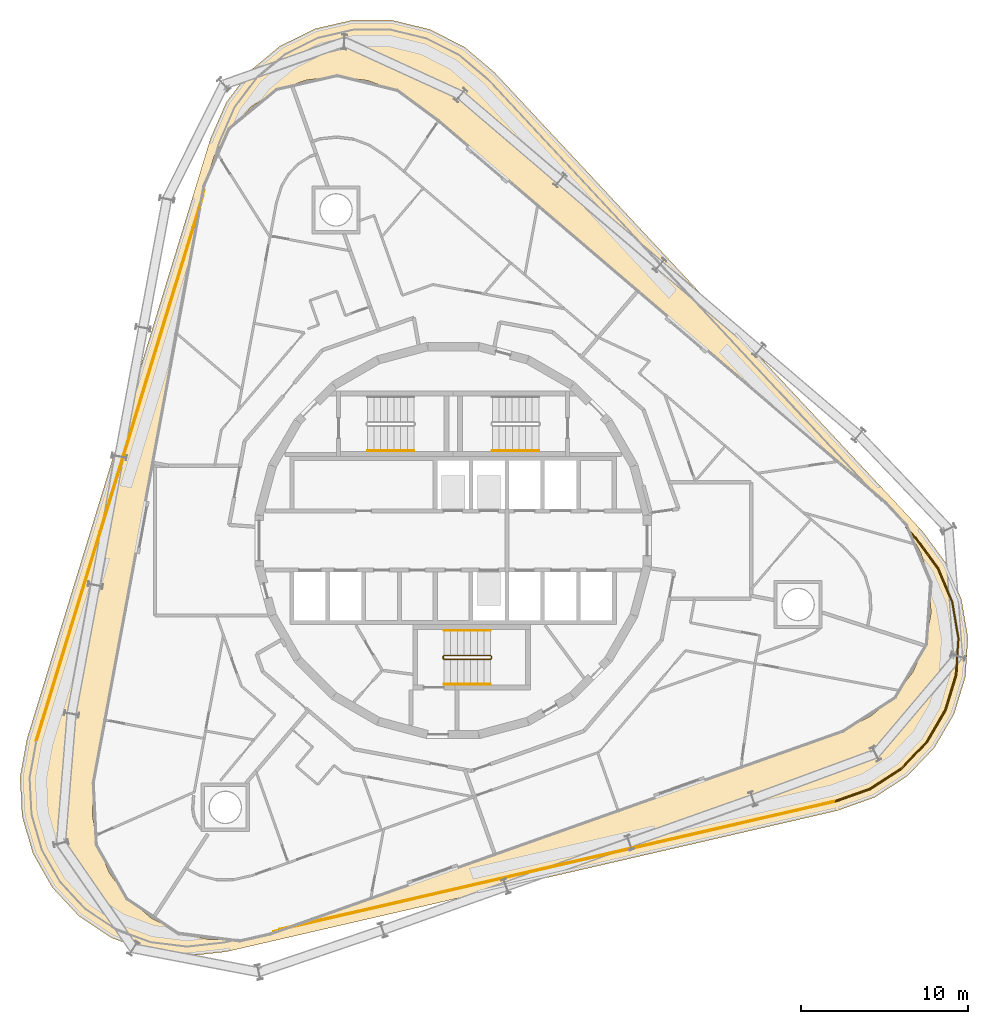
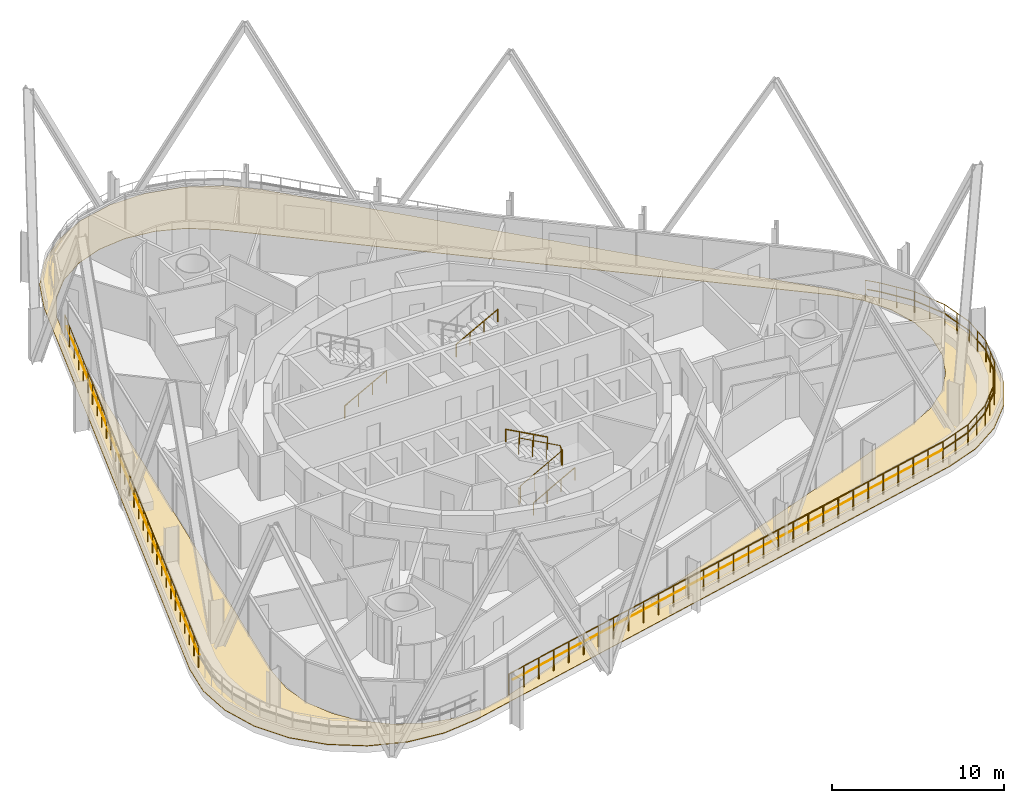
# One storey, part 18 of 25: 11 railings, 1 covering.
"""IFC4 building model written with IfcOpenShell, lengths in metres."""

from ifc_helpers import new_model, si_unit, direction, frame, origin, origin_2d, place, context, subcontext, project, spatial, polyline, circle, outline, extrude, material, layer, layer_set, type_object, element, save


model = new_model("IFC4")

# Units and contexts
model_context = context("Model", 3, precision=1e-05, world=origin(), true_north=direction((0.0, 1.0)))
body_context = subcontext(model_context, "Body", "Model", "MODEL_VIEW")
ifc_project = project(units=[si_unit("LENGTHUNIT", "METRE"), si_unit("AREAUNIT", "SQUARE_METRE"), si_unit("VOLUMEUNIT", "CUBIC_METRE"), si_unit("PLANEANGLEUNIT", "RADIAN"), si_unit("MASSUNIT", "GRAM", prefix="KILO")], contexts=[model_context])

# Site, building, storey
site_placement = place(None, origin())
site = spatial("IfcSite", under=ifc_project, at=site_placement, CompositionType="ELEMENT")
building_placement = place(site_placement, origin())
building = spatial("IfcBuilding", under=site, at=building_placement, Name="Spindle Arch Residences", CompositionType="ELEMENT")
storey_placement = place(building_placement, frame((0.0, 0.0, 151.699951171875)))
storey = spatial("IfcBuildingStorey", under=building, at=storey_placement, Name="L37", CompositionType="ELEMENT", Elevation=151.699951171875)

# Railings
ifc_material_1 = material(Name="Steel, painted", Category="steel")
railing_type_1 = type_object("IfcRailingType", Name="Stair guard 1100", PredefinedType="GUARDRAIL", material=ifc_material_1)
railing_1_placement = place(storey_placement, frame((-0.550048828125, -6.89990234375, 3.5)))
element("IfcRailing", 1, at=railing_1_placement, inside=storey, type_object=railing_type_1, Name="L37 ST3 stair guard 1", PredefinedType="GUARDRAIL", context=body_context, shape_type="SweptSolid", body=[
    extrude(circle(Radius=0.02392578125, at=origin_2d()), frame((0.0, 0.0, 1.17578125), z_axis=(0.877374661878, 0.0, -0.479805901063), x_axis=(0.0, 1.0, 0.0)), (0.0, 0.0, 1.0), 3.19140625),
    extrude(circle(Radius=0.02392578125, at=origin_2d()), frame((2.800048828125, 0.0, -0.35546875), z_axis=(0.217683172539, -0.217683172539, -0.951434744366), x_axis=(0.707106781187, 0.707106781187, 0.0)), (0.0, 0.0, 1.0), 0.22998046875),
    extrude(circle(Radius=0.02392578125, at=origin_2d()), frame((2.85009765625, -0.050048828125, -0.57421875), z_axis=(0.0, -1.0, 0.0), x_axis=(1.0, 0.0, 0.0)), (0.0, 0.0, 1.0), 0.1201171875),
    extrude(circle(Radius=0.02392578125, at=origin_2d()), frame((2.85009765625, -0.170166015625, -0.57421875), z_axis=(-0.707106781187, -0.707106781187, 0.0), x_axis=(0.707106781187, -0.707106781187, 0.0)), (0.0, 0.0, 1.0), 0.07080078125),
    extrude(circle(Radius=0.02392578125, at=origin_2d()), frame((2.800048828125, -0.22021484375, -0.57421875), z_axis=(-0.877374661878, 0.0, -0.479805901063), x_axis=(0.0, -1.0, 0.0)), (0.0, 0.0, 1.0), 3.19140625),
    extrude(circle(Radius=0.02392578125, at=origin_2d()), frame((0.0, -0.22021484375, -2.10546875), z_axis=(-0.217683172539, 0.217683172539, -0.951434744366), x_axis=(-0.707106781187, -0.707106781187, 0.0)), (0.0, 0.0, 1.0), 0.22998046875),
    extrude(circle(Radius=0.02392578125, at=origin_2d()), frame((-0.050048828125, -0.170166015625, -2.32421875), z_axis=(0.0, 1.0, 0.0), x_axis=(-1.0, 0.0, 0.0)), (0.0, 0.0, 1.0), 0.1201171875),
    extrude(circle(Radius=0.02099609375, at=origin_2d()), origin(), (0.0, 0.0, 1.0), 1.15185546875),
    extrude(circle(Radius=0.02099609375, at=origin_2d()), frame((0.933349609375, 0.0, -0.510498046875)), (0.0, 0.0, 1.0), 1.15185546875),
    extrude(circle(Radius=0.02099609375, at=origin_2d()), frame((1.86669921875, 0.0, -1.020751953125)), (0.0, 0.0, 1.0), 1.15185546875),
    extrude(circle(Radius=0.02099609375, at=origin_2d()), frame((2.800048828125, 0.0, -1.53125)), (0.0, 0.0, 1.0), 1.15185546875),
    extrude(circle(Radius=0.02099609375, at=origin_2d()), frame((2.85009765625, -0.050048828125, -1.75)), (0.0, 0.0, 1.0), 1.15185546875),
    extrude(circle(Radius=0.02099609375, at=origin_2d()), frame((2.85009765625, -0.170166015625, -1.75)), (0.0, 0.0, 1.0), 1.15185546875),
    extrude(circle(Radius=0.02099609375, at=origin_2d()), frame((2.800048828125, -0.22021484375, -1.75)), (0.0, 0.0, 1.0), 1.15185546875),
    extrude(circle(Radius=0.02099609375, at=origin_2d()), frame((1.86669921875, -0.22021484375, -2.260498046875)), (0.0, 0.0, 1.0), 1.15185546875),
    extrude(circle(Radius=0.02099609375, at=origin_2d()), frame((0.933349609375, -0.22021484375, -2.770751953125)), (0.0, 0.0, 1.0), 1.15185546875),
    extrude(circle(Radius=0.02099609375, at=origin_2d()), frame((0.0, -0.22021484375, -3.28125)), (0.0, 0.0, 1.0), 1.15185546875),
    extrude(circle(Radius=0.02099609375, at=origin_2d()), frame((-0.050048828125, -0.170166015625, -3.5)), (0.0, 0.0, 1.0), 1.15185546875),
    extrude(circle(Radius=0.02099609375, at=origin_2d()), frame((-0.050048828125, -0.050048828125, -3.5)), (0.0, 0.0, 1.0), 1.15185546875),
])
ifc_material_2 = material(Name="Steel, painted", Category="steel")
railing_type_2 = type_object("IfcRailingType", Name="Stair handrail 900", PredefinedType="HANDRAIL", material=ifc_material_2)
for number, where, name in (
    (2, (2.35009765625, 5.39990234375, 1.96875), "L37 ST1 stair handrail 2"),
    (3, (-5.14990234375, 5.39990234375, 0.21875), "L37 ST2 stair handrail 1"),
):
    element("IfcRailing", number, at=place(storey_placement, frame(where)), inside=storey, type_object=railing_type_2, Name=name, PredefinedType="HANDRAIL", context=body_context, shape_type="SweptSolid", body=[
        extrude(circle(Radius=0.02392578125, at=origin_2d()), frame((0.0, 0.0, 0.8759765625), z_axis=(0.877357048833, 0.0, 0.479838106931), x_axis=(0.0, 1.0, 0.0)), (0.0, 0.0, 1.0), 3.191162109375),
        extrude(circle(Radius=0.02099609375, at=origin_2d()), origin(), (0.0, 0.0, 1.0), 0.851806640625),
        extrude(circle(Radius=0.02099609375, at=origin_2d()), frame((0.933349609375, 0.0, 0.510498046875)), (0.0, 0.0, 1.0), 0.851806640625),
        extrude(circle(Radius=0.02099609375, at=origin_2d()), frame((1.866455078125, 0.0, 1.020751953125)), (0.0, 0.0, 1.0), 0.851806640625),
        extrude(circle(Radius=0.02099609375, at=origin_2d()), frame((2.7998046875, 0.0, 1.53125)), (0.0, 0.0, 1.0), 0.851806640625),
    ])
railing_2_placement = place(storey_placement, frame((-0.550048828125, -8.6201171875, 0.21875)))
element("IfcRailing", 4, at=railing_2_placement, inside=storey, type_object=railing_type_2, Name="L37 ST3 stair handrail 1", PredefinedType="HANDRAIL", context=body_context, shape_type="SweptSolid", body=[
    extrude(circle(Radius=0.02392578125, at=origin_2d()), frame((0.0, 0.0, 0.8759765625), z_axis=(0.877374661878, 0.0, 0.479805901063), x_axis=(0.0, 1.0, 0.0)), (0.0, 0.0, 1.0), 3.19140625),
    extrude(circle(Radius=0.02099609375, at=origin_2d()), origin(), (0.0, 0.0, 1.0), 0.851806640625),
    extrude(circle(Radius=0.02099609375, at=origin_2d()), frame((0.933349609375, 0.0, 0.510498046875)), (0.0, 0.0, 1.0), 0.851806640625),
    extrude(circle(Radius=0.02099609375, at=origin_2d()), frame((1.86669921875, 0.0, 1.020751953125)), (0.0, 0.0, 1.0), 0.851806640625),
    extrude(circle(Radius=0.02099609375, at=origin_2d()), frame((2.800048828125, 0.0, 1.53125)), (0.0, 0.0, 1.0), 0.851806640625),
])
railing_3_placement = place(storey_placement, frame((2.25, -5.39990234375, 1.96875)))
element("IfcRailing", 5, at=railing_3_placement, inside=storey, type_object=railing_type_2, Name="L37 ST3 stair handrail 2", PredefinedType="HANDRAIL", context=body_context, shape_type="SweptSolid", body=[
    extrude(circle(Radius=0.02392578125, at=origin_2d()), frame((0.0, 0.0, 0.8759765625), z_axis=(-0.877374661878, 0.0, 0.479805901063), x_axis=(0.0, -1.0, 0.0)), (0.0, 0.0, 1.0), 3.19140625),
    extrude(circle(Radius=0.02099609375, at=origin_2d()), origin(), (0.0, 0.0, 1.0), 0.851806640625),
    extrude(circle(Radius=0.02099609375, at=origin_2d()), frame((-0.933349609375, 0.0, 0.510498046875)), (0.0, 0.0, 1.0), 0.851806640625),
    extrude(circle(Radius=0.02099609375, at=origin_2d()), frame((-1.86669921875, 0.0, 1.020751953125)), (0.0, 0.0, 1.0), 0.851806640625),
    extrude(circle(Radius=0.02099609375, at=origin_2d()), frame((-2.800048828125, 0.0, 1.53125)), (0.0, 0.0, 1.0), 0.851806640625),
])
ifc_material_3 = material(Name="Bronze anodised aluminium guard with glass infill", Category="aluminium")
railing_type_3 = type_object("IfcRailingType", Name="Terrace guard 1500", PredefinedType="GUARDRAIL", material=ifc_material_3)
railing_4_placement = place(storey_placement, frame((22.947021484375, -15.680908203125, 0.030029296875)))
element("IfcRailing", 6, at=railing_4_placement, inside=storey, type_object=railing_type_3, Name="Terrace guard L36 1", PredefinedType="GUARDRAIL", context=body_context, shape_type="SweptSolid", body=[
    extrude(circle(Radius=0.02392578125, at=origin_2d()), frame((0.0, 0.0, 1.47607421875), z_axis=(-0.974371339482, -0.224945532953, 0.0), x_axis=(0.224945532953, -0.974371339482, 0.0)), (0.0, 0.0, 1.0), 34.613525390625),
    extrude(circle(Radius=0.02099609375, at=origin_2d()), origin(), (0.0, 0.0, 1.0), 1.451904296875),
    extrude(circle(Radius=0.02099609375, at=origin_2d()), frame((-1.1630859375, -0.2685546875, 0.0)), (0.0, 0.0, 1.0), 1.451904296875),
    extrude(circle(Radius=0.02099609375, at=origin_2d()), frame((-2.325927734375, -0.536865234375, 0.0)), (0.0, 0.0, 1.0), 1.451904296875),
    extrude(circle(Radius=0.02099609375, at=origin_2d()), frame((-3.489013671875, -0.805419921875, 0.0)), (0.0, 0.0, 1.0), 1.451904296875),
    extrude(circle(Radius=0.02099609375, at=origin_2d()), frame((-4.65185546875, -1.073974609375, 0.0)), (0.0, 0.0, 1.0), 1.451904296875),
    extrude(circle(Radius=0.02099609375, at=origin_2d()), frame((-5.81494140625, -1.342529296875, 0.0)), (0.0, 0.0, 1.0), 1.451904296875),
    extrude(circle(Radius=0.02099609375, at=origin_2d()), frame((-6.977783203125, -1.61083984375, 0.0)), (0.0, 0.0, 1.0), 1.451904296875),
    extrude(circle(Radius=0.02099609375, at=origin_2d()), frame((-8.140869140625, -1.87939453125, 0.0)), (0.0, 0.0, 1.0), 1.451904296875),
    extrude(circle(Radius=0.02099609375, at=origin_2d()), frame((-9.3037109375, -2.14794921875, 0.0)), (0.0, 0.0, 1.0), 1.451904296875),
    extrude(circle(Radius=0.02099609375, at=origin_2d()), frame((-10.466796875, -2.41650390625, 0.0)), (0.0, 0.0, 1.0), 1.451904296875),
    extrude(circle(Radius=0.02099609375, at=origin_2d()), frame((-11.6298828125, -2.684814453125, 0.0)), (0.0, 0.0, 1.0), 1.451904296875),
    extrude(circle(Radius=0.02099609375, at=origin_2d()), frame((-12.792724609375, -2.953369140625, 0.0)), (0.0, 0.0, 1.0), 1.451904296875),
    extrude(circle(Radius=0.02099609375, at=origin_2d()), frame((-13.955810546875, -3.221923828125, 0.0)), (0.0, 0.0, 1.0), 1.451904296875),
    extrude(circle(Radius=0.02099609375, at=origin_2d()), frame((-15.11865234375, -3.490234375, 0.0)), (0.0, 0.0, 1.0), 1.451904296875),
    extrude(circle(Radius=0.02099609375, at=origin_2d()), frame((-16.28173828125, -3.7587890625, 0.0)), (0.0, 0.0, 1.0), 1.451904296875),
    extrude(circle(Radius=0.02099609375, at=origin_2d()), frame((-17.444580078125, -4.02734375, 0.0)), (0.0, 0.0, 1.0), 1.451904296875),
    extrude(circle(Radius=0.02099609375, at=origin_2d()), frame((-18.607666015625, -4.2958984375, 0.0)), (0.0, 0.0, 1.0), 1.451904296875),
    extrude(circle(Radius=0.02099609375, at=origin_2d()), frame((-19.7705078125, -4.564208984375, 0.0)), (0.0, 0.0, 1.0), 1.451904296875),
    extrude(circle(Radius=0.02099609375, at=origin_2d()), frame((-20.93359375, -4.832763671875, 0.0)), (0.0, 0.0, 1.0), 1.451904296875),
    extrude(circle(Radius=0.02099609375, at=origin_2d()), frame((-22.096435546875, -5.101318359375, 0.0)), (0.0, 0.0, 1.0), 1.451904296875),
    extrude(circle(Radius=0.02099609375, at=origin_2d()), frame((-23.259521484375, -5.36962890625, 0.0)), (0.0, 0.0, 1.0), 1.451904296875),
    extrude(circle(Radius=0.02099609375, at=origin_2d()), frame((-24.422607421875, -5.63818359375, 0.0)), (0.0, 0.0, 1.0), 1.451904296875),
    extrude(circle(Radius=0.02099609375, at=origin_2d()), frame((-25.58544921875, -5.90673828125, 0.0)), (0.0, 0.0, 1.0), 1.451904296875),
    extrude(circle(Radius=0.02099609375, at=origin_2d()), frame((-26.74853515625, -6.17529296875, 0.0)), (0.0, 0.0, 1.0), 1.451904296875),
    extrude(circle(Radius=0.02099609375, at=origin_2d()), frame((-27.911376953125, -6.443603515625, 0.0)), (0.0, 0.0, 1.0), 1.451904296875),
    extrude(circle(Radius=0.02099609375, at=origin_2d()), frame((-29.074462890625, -6.712158203125, 0.0)), (0.0, 0.0, 1.0), 1.451904296875),
    extrude(circle(Radius=0.02099609375, at=origin_2d()), frame((-30.2373046875, -6.980712890625, 0.0)), (0.0, 0.0, 1.0), 1.451904296875),
    extrude(circle(Radius=0.02099609375, at=origin_2d()), frame((-31.400390625, -7.249267578125, 0.0)), (0.0, 0.0, 1.0), 1.451904296875),
    extrude(circle(Radius=0.02099609375, at=origin_2d()), frame((-32.563232421875, -7.517578125, 0.0)), (0.0, 0.0, 1.0), 1.451904296875),
    extrude(circle(Radius=0.02099609375, at=origin_2d()), frame((-33.726318359375, -7.7861328125, 0.0)), (0.0, 0.0, 1.0), 1.451904296875),
])
railing_5_placement = place(storey_placement, frame((-25.053466796875, -12.032470703125, 0.030029296875)))
element("IfcRailing", 7, at=railing_5_placement, inside=storey, type_object=railing_type_3, Name="Terrace guard L36 4", PredefinedType="GUARDRAIL", context=body_context, shape_type="SweptSolid", body=[
    extrude(circle(Radius=0.02392578125, at=origin_2d()), frame((0.0, 0.0, 1.47607421875), z_axis=(0.292367981198, 0.956305894351, 0.0), x_axis=(-0.956305894351, 0.292367981198, 0.0)), (0.0, 0.0, 1.0), 34.613525390625),
    extrude(circle(Radius=0.02099609375, at=origin_2d()), origin(), (0.0, 0.0, 1.0), 1.451904296875),
    extrude(circle(Radius=0.02099609375, at=origin_2d()), frame((0.348876953125, 1.141357421875, 0.0)), (0.0, 0.0, 1.0), 1.451904296875),
    extrude(circle(Radius=0.02099609375, at=origin_2d()), frame((0.697998046875, 2.28271484375, 0.0)), (0.0, 0.0, 1.0), 1.451904296875),
    extrude(circle(Radius=0.02099609375, at=origin_2d()), frame((1.046875, 3.42431640625, 0.0)), (0.0, 0.0, 1.0), 1.451904296875),
    extrude(circle(Radius=0.02099609375, at=origin_2d()), frame((1.395751953125, 4.565673828125, 0.0)), (0.0, 0.0, 1.0), 1.451904296875),
    extrude(circle(Radius=0.02099609375, at=origin_2d()), frame((1.744873046875, 5.70703125, 0.0)), (0.0, 0.0, 1.0), 1.451904296875),
    extrude(circle(Radius=0.02099609375, at=origin_2d()), frame((2.09375, 6.848388671875, 0.0)), (0.0, 0.0, 1.0), 1.451904296875),
    extrude(circle(Radius=0.02099609375, at=origin_2d()), frame((2.442626953125, 7.989990234375, 0.0)), (0.0, 0.0, 1.0), 1.451904296875),
    extrude(circle(Radius=0.02099609375, at=origin_2d()), frame((2.791748046875, 9.13134765625, 0.0)), (0.0, 0.0, 1.0), 1.451904296875),
    extrude(circle(Radius=0.02099609375, at=origin_2d()), frame((3.140625, 10.272705078125, 0.0)), (0.0, 0.0, 1.0), 1.451904296875),
    extrude(circle(Radius=0.02099609375, at=origin_2d()), frame((3.489501953125, 11.4140625, 0.0)), (0.0, 0.0, 1.0), 1.451904296875),
    extrude(circle(Radius=0.02099609375, at=origin_2d()), frame((3.838623046875, 12.5556640625, 0.0)), (0.0, 0.0, 1.0), 1.451904296875),
    extrude(circle(Radius=0.02099609375, at=origin_2d()), frame((4.1875, 13.697021484375, 0.0)), (0.0, 0.0, 1.0), 1.451904296875),
    extrude(circle(Radius=0.02099609375, at=origin_2d()), frame((4.536376953125, 14.83837890625, 0.0)), (0.0, 0.0, 1.0), 1.451904296875),
    extrude(circle(Radius=0.02099609375, at=origin_2d()), frame((4.885498046875, 15.979736328125, 0.0)), (0.0, 0.0, 1.0), 1.451904296875),
    extrude(circle(Radius=0.02099609375, at=origin_2d()), frame((5.234375, 17.121337890625, 0.0)), (0.0, 0.0, 1.0), 1.451904296875),
    extrude(circle(Radius=0.02099609375, at=origin_2d()), frame((5.58349609375, 18.2626953125, 0.0)), (0.0, 0.0, 1.0), 1.451904296875),
    extrude(circle(Radius=0.02099609375, at=origin_2d()), frame((5.932373046875, 19.404052734375, 0.0)), (0.0, 0.0, 1.0), 1.451904296875),
    extrude(circle(Radius=0.02099609375, at=origin_2d()), frame((6.28125, 20.54541015625, 0.0)), (0.0, 0.0, 1.0), 1.451904296875),
    extrude(circle(Radius=0.02099609375, at=origin_2d()), frame((6.63037109375, 21.68701171875, 0.0)), (0.0, 0.0, 1.0), 1.451904296875),
    extrude(circle(Radius=0.02099609375, at=origin_2d()), frame((6.979248046875, 22.828369140625, 0.0)), (0.0, 0.0, 1.0), 1.451904296875),
    extrude(circle(Radius=0.02099609375, at=origin_2d()), frame((7.328125, 23.9697265625, 0.0)), (0.0, 0.0, 1.0), 1.451904296875),
    extrude(circle(Radius=0.02099609375, at=origin_2d()), frame((7.67724609375, 25.111083984375, 0.0)), (0.0, 0.0, 1.0), 1.451904296875),
    extrude(circle(Radius=0.02099609375, at=origin_2d()), frame((8.026123046875, 26.252685546875, 0.0)), (0.0, 0.0, 1.0), 1.451904296875),
    extrude(circle(Radius=0.02099609375, at=origin_2d()), frame((8.375, 27.39404296875, 0.0)), (0.0, 0.0, 1.0), 1.451904296875),
    extrude(circle(Radius=0.02099609375, at=origin_2d()), frame((8.72412109375, 28.535400390625, 0.0)), (0.0, 0.0, 1.0), 1.451904296875),
    extrude(circle(Radius=0.02099609375, at=origin_2d()), frame((9.072998046875, 29.6767578125, 0.0)), (0.0, 0.0, 1.0), 1.451904296875),
    extrude(circle(Radius=0.02099609375, at=origin_2d()), frame((9.421875, 30.818359375, 0.0)), (0.0, 0.0, 1.0), 1.451904296875),
    extrude(circle(Radius=0.02099609375, at=origin_2d()), frame((9.77099609375, 31.959716796875, 0.0)), (0.0, 0.0, 1.0), 1.451904296875),
    extrude(circle(Radius=0.02099609375, at=origin_2d()), frame((10.119873046875, 33.10107421875, 0.0)), (0.0, 0.0, 1.0), 1.451904296875),
])
railing_6_placement = place(storey_placement, frame((27.22021484375, 0.79638671875, 0.030029296875)))
element("IfcRailing", 8, at=railing_6_placement, inside=storey, type_object=railing_type_3, Name="Terrace guard L36 9", PredefinedType="GUARDRAIL", context=body_context, shape_type="SweptSolid", body=[
    extrude(circle(Radius=0.02392578125, at=origin_2d()), frame((0.0, 0.0, 1.47607421875), z_axis=(-0.874157276122, -0.485642931179, 0.0), x_axis=(0.485642931179, -0.874157276122, 0.0)), (0.0, 0.0, 1.0), 0.010009765625),
    extrude(circle(Radius=0.02392578125, at=origin_2d()), frame((-0.0087890625, -0.0048828125, 1.47607421875), z_axis=(0.682042636252, -0.731312410899, 0.0), x_axis=(0.731312410899, 0.682042636252, 0.0)), (0.0, 0.0, 1.0), 0.852294921875),
    extrude(circle(Radius=0.02392578125, at=origin_2d()), frame((0.572509765625, -0.628173828125, 1.47607421875), z_axis=(0.592469208502, -0.805593096406, 0.0), x_axis=(0.805593096406, 0.592469208502, 0.0)), (0.0, 0.0, 1.0), 2.248779296875),
    extrude(circle(Radius=0.02392578125, at=origin_2d()), frame((1.90478515625, -2.439697265625, 1.47607421875), z_axis=(0.390660153662, -0.92053497725, 0.0), x_axis=(0.92053497725, 0.390660153662, 0.0)), (0.0, 0.0, 1.0), 2.216796875),
    extrude(circle(Radius=0.02392578125, at=origin_2d()), frame((2.770751953125, -4.480224609375, 1.47607421875), z_axis=(0.167988399003, -0.985788972245, 0.0), x_axis=(0.985788972245, 0.167988399003, 0.0)), (0.0, 0.0, 1.0), 2.21630859375),
    extrude(circle(Radius=0.02392578125, at=origin_2d()), frame((3.14306640625, -6.6650390625, 1.47607421875), z_axis=(-0.063989546465, -0.997950568888, 0.0), x_axis=(0.997950568888, -0.063989546465, 0.0)), (0.0, 0.0, 1.0), 2.216796875),
    extrude(circle(Radius=0.02392578125, at=origin_2d()), frame((3.001220703125, -8.877197265625, 1.47607421875), z_axis=(-0.292336067367, -0.95631565067, 0.0), x_axis=(0.95631565067, -0.292336067367, 0.0)), (0.0, 0.0, 1.0), 2.216552734375),
    extrude(circle(Radius=0.02392578125, at=origin_2d()), frame((2.353271484375, -10.996826171875, 1.47607421875), z_axis=(-0.505021123045, -0.863106983681, 0.0), x_axis=(0.863106983681, -0.505021123045, 0.0)), (0.0, 0.0, 1.0), 2.216552734375),
    extrude(circle(Radius=0.02392578125, at=origin_2d()), frame((1.23388671875, -12.909912109375, 1.47607421875), z_axis=(-0.69050456268, -0.723328036867, 0.0), x_axis=(0.723328036867, -0.69050456268, 0.0)), (0.0, 0.0, 1.0), 2.216552734375),
    extrude(circle(Radius=0.02392578125, at=origin_2d()), frame((-0.296630859375, -14.51318359375, 1.47607421875), z_axis=(-0.83864991014, -0.544670843925, 0.0), x_axis=(0.544670843925, -0.83864991014, 0.0)), (0.0, 0.0, 1.0), 2.216552734375),
    extrude(circle(Radius=0.02392578125, at=origin_2d()), frame((-2.155517578125, -15.720458984375, 1.47607421875), z_axis=(-0.941668204269, -0.33654270616, 0.0), x_axis=(0.33654270616, -0.941668204269, 0.0)), (0.0, 0.0, 1.0), 2.248779296875),
    extrude(circle(Radius=0.02099609375, at=origin_2d()), origin(), (0.0, 0.0, 1.0), 1.451904296875),
    extrude(circle(Radius=0.02099609375, at=origin_2d()), frame((-0.0087890625, -0.0048828125, 0.0)), (0.0, 0.0, 1.0), 1.451904296875),
    extrude(circle(Radius=0.02099609375, at=origin_2d()), frame((0.572509765625, -0.628173828125, 0.0)), (0.0, 0.0, 1.0), 1.451904296875),
    extrude(circle(Radius=0.02099609375, at=origin_2d()), frame((1.23876953125, -1.533935546875, 0.0)), (0.0, 0.0, 1.0), 1.451904296875),
    extrude(circle(Radius=0.02099609375, at=origin_2d()), frame((1.90478515625, -2.439697265625, 0.0)), (0.0, 0.0, 1.0), 1.451904296875),
    extrude(circle(Radius=0.02099609375, at=origin_2d()), frame((2.337890625, -3.4599609375, 0.0)), (0.0, 0.0, 1.0), 1.451904296875),
    extrude(circle(Radius=0.02099609375, at=origin_2d()), frame((2.770751953125, -4.480224609375, 0.0)), (0.0, 0.0, 1.0), 1.451904296875),
    extrude(circle(Radius=0.02099609375, at=origin_2d()), frame((2.95703125, -5.57275390625, 0.0)), (0.0, 0.0, 1.0), 1.451904296875),
    extrude(circle(Radius=0.02099609375, at=origin_2d()), frame((3.14306640625, -6.6650390625, 0.0)), (0.0, 0.0, 1.0), 1.451904296875),
    extrude(circle(Radius=0.02099609375, at=origin_2d()), frame((3.072265625, -7.77099609375, 0.0)), (0.0, 0.0, 1.0), 1.451904296875),
    extrude(circle(Radius=0.02099609375, at=origin_2d()), frame((3.001220703125, -8.877197265625, 0.0)), (0.0, 0.0, 1.0), 1.451904296875),
    extrude(circle(Radius=0.02099609375, at=origin_2d()), frame((2.67724609375, -9.93701171875, 0.0)), (0.0, 0.0, 1.0), 1.451904296875),
    extrude(circle(Radius=0.02099609375, at=origin_2d()), frame((2.353271484375, -10.996826171875, 0.0)), (0.0, 0.0, 1.0), 1.451904296875),
    extrude(circle(Radius=0.02099609375, at=origin_2d()), frame((1.79345703125, -11.953369140625, 0.0)), (0.0, 0.0, 1.0), 1.451904296875),
    extrude(circle(Radius=0.02099609375, at=origin_2d()), frame((1.23388671875, -12.909912109375, 0.0)), (0.0, 0.0, 1.0), 1.451904296875),
    extrude(circle(Radius=0.02099609375, at=origin_2d()), frame((0.46875, -13.71142578125, 0.0)), (0.0, 0.0, 1.0), 1.451904296875),
    extrude(circle(Radius=0.02099609375, at=origin_2d()), frame((-0.296630859375, -14.51318359375, 0.0)), (0.0, 0.0, 1.0), 1.451904296875),
    extrude(circle(Radius=0.02099609375, at=origin_2d()), frame((-1.22607421875, -15.11669921875, 0.0)), (0.0, 0.0, 1.0), 1.451904296875),
    extrude(circle(Radius=0.02099609375, at=origin_2d()), frame((-2.155517578125, -15.720458984375, 0.0)), (0.0, 0.0, 1.0), 1.451904296875),
    extrude(circle(Radius=0.02099609375, at=origin_2d()), frame((-3.21435546875, -16.098876953125, 0.0)), (0.0, 0.0, 1.0), 1.451904296875),
    extrude(circle(Radius=0.02099609375, at=origin_2d()), frame((-4.273193359375, -16.477294921875, 0.0)), (0.0, 0.0, 1.0), 1.451904296875),
])
ifc_material_4 = material(Name="Bronze anodised aluminium handrail", Category="aluminium")
railing_type_4 = type_object("IfcRailingType", Name="Terrace handrail 900", PredefinedType="HANDRAIL", material=ifc_material_4)
railing_7_placement = place(storey_placement, frame((22.935302734375, -15.640380859375, 0.030029296875)))
element("IfcRailing", 9, at=railing_7_placement, inside=storey, type_object=railing_type_4, Name="Terrace handrail L36 1", PredefinedType="HANDRAIL", context=body_context, shape_type="SweptSolid", body=[
    extrude(circle(Radius=0.02392578125, at=origin_2d()), frame((0.0, 0.0, 0.8759765625), z_axis=(-0.974369922162, -0.224951672112, 0.0), x_axis=(0.224951672112, -0.974369922162, 0.0)), (0.0, 0.0, 1.0), 34.242431640625),
])
railing_8_placement = place(storey_placement, frame((-25.0126953125, -12.042236328125, 0.030029296875)))
element("IfcRailing", 10, at=railing_8_placement, inside=storey, type_object=railing_type_4, Name="Terrace handrail L36 4", PredefinedType="HANDRAIL", context=body_context, shape_type="SweptSolid", body=[
    extrude(circle(Radius=0.02392578125, at=origin_2d()), frame((0.0, 0.0, 0.8759765625), z_axis=(0.292371412334, 0.956304845355, 0.0), x_axis=(-0.956304845355, 0.292371412334, 0.0)), (0.0, 0.0, 1.0), 34.242431640625),
])
railing_9_placement = place(storey_placement, frame((27.30859375, 0.6396484375, 0.030029296875)))
element("IfcRailing", 11, at=railing_9_placement, inside=storey, type_object=railing_type_4, Name="Terrace handrail L36 9", PredefinedType="HANDRAIL", context=body_context, shape_type="SweptSolid", body=[
    extrude(circle(Radius=0.02392578125, at=origin_2d()), frame((0.0, 0.0, 0.8759765625), z_axis=(-0.868243142124, -0.496138938357, 0.0), x_axis=(0.496138938357, -0.868243142124, 0.0)), (0.0, 0.0, 1.0), 0.009765625),
    extrude(circle(Radius=0.02392578125, at=origin_2d()), frame((-0.008544921875, -0.0048828125, 0.8759765625), z_axis=(0.682073259244, -0.731283849831, 0.0), x_axis=(0.731283849831, 0.682073259244, 0.0)), (0.0, 0.0, 1.0), 0.6748046875),
    extrude(circle(Radius=0.02392578125, at=origin_2d()), frame((0.45166015625, -0.498291015625, 0.8759765625), z_axis=(0.592444514238, -0.805611257089, 0.0), x_axis=(0.805611257089, 0.592444514238, 0.0)), (0.0, 0.0, 1.0), 2.241455078125),
    extrude(circle(Radius=0.02392578125, at=origin_2d()), frame((1.779541015625, -2.303955078125, 0.8759765625), z_axis=(0.390765769711, -0.920490148357, 0.0), x_axis=(0.920490148357, 0.390765769711, 0.0)), (0.0, 0.0, 1.0), 2.206787109375),
    extrude(circle(Radius=0.02392578125, at=origin_2d()), frame((2.641845703125, -4.335205078125, 0.8759765625), z_axis=(0.167932021243, -0.985798577926, 0.0), x_axis=(0.985798577926, 0.167932021243, 0.0)), (0.0, 0.0, 1.0), 2.206787109375),
    extrude(circle(Radius=0.02392578125, at=origin_2d()), frame((3.012451171875, -6.5107421875, 0.8759765625), z_axis=(-0.063948663363, -0.99795318951, 0.0), x_axis=(0.99795318951, -0.063948663363, 0.0)), (0.0, 0.0, 1.0), 2.206787109375),
    extrude(circle(Radius=0.02392578125, at=origin_2d()), frame((2.871337890625, -8.712890625, 0.8759765625), z_axis=(-0.292429351364, -0.956287129716, 0.0), x_axis=(0.956287129716, -0.292429351364, 0.0)), (0.0, 0.0, 1.0), 2.20654296875),
    extrude(circle(Radius=0.02392578125, at=origin_2d()), frame((2.22607421875, -10.822998046875, 0.8759765625), z_axis=(-0.505012393824, -0.863112091263, 0.0), x_axis=(0.863112091263, -0.505012393824, 0.0)), (0.0, 0.0, 1.0), 2.206787109375),
    extrude(circle(Radius=0.02392578125, at=origin_2d()), frame((1.111572265625, -12.727783203125, 0.8759765625), z_axis=(-0.690428376935, -0.723400757757, 0.0), x_axis=(0.723400757757, -0.690428376935, 0.0)), (0.0, 0.0, 1.0), 2.20654296875),
    extrude(circle(Radius=0.02392578125, at=origin_2d()), frame((-0.411865234375, -14.323974609375, 0.8759765625), z_axis=(-0.838678600675, -0.544626665496, 0.0), x_axis=(0.544626665496, -0.838678600675, 0.0)), (0.0, 0.0, 1.0), 2.206787109375),
    extrude(circle(Radius=0.02392578125, at=origin_2d()), frame((-2.2626953125, -15.52587890625, 0.8759765625), z_axis=(-0.941690146907, -0.336481302926, 0.0), x_axis=(0.336481302926, -0.941690146907, 0.0)), (0.0, 0.0, 1.0), 2.2412109375),
])

# Covering
ifc_material_5 = material(Name="Non-combustible mineral wool, bituminous membrane and concrete pavers", Category="concrete")
ifc_layer = layer(ifc_material_5, 0.030029296875)
ifc_layer_set = layer_set([ifc_layer], Name="Terrace roofing membrane and pavers")
covering_type = type_object("IfcCoveringType", Name="Terrace roofing membrane and pavers", PredefinedType="ROOFING", material=ifc_layer_set)
covering_placement = place(storey_placement, origin())
element("IfcCovering", 12, at=covering_placement, inside=storey, type_object=covering_type, Name="Terrace roofing L36 1", PredefinedType="ROOFING", context=body_context, shape_type="SweptSolid", body=[
    extrude(outline(polyline([(-13.658203125, -24.6962890625), (-15.989013671875, -24.955078125), (-18.316650390625, -24.669189453125), (-20.515625, -23.854248046875), (-22.46728515625, -22.55419921875), (-24.066650390625, -20.839111328125), (-25.227294921875, -18.801513671875), (-25.88671875, -16.551025390625), (-26.009521484375, -14.209228515625), (-25.5888671875, -11.902099609375), (-14.55859375, 24.176513671875), (-13.6171875, 26.32421875), (-12.205810546875, 28.197265625), (-10.400634765625, 29.694091796875), (-8.299072265625, 30.734375), (-6.013916015625, 31.261962890625), (-3.6689453125, 31.248291015625), (-1.390380859375, 30.694091796875), (0.69921875, 29.629638671875), (2.48681640625, 28.11181640625), (28.216796875, 0.519775390625), (29.606201171875, -1.369384765625), (30.5224609375, -3.528076171875), (30.916259765625, -5.83984375), (30.76611328125, -8.18017578125), (30.08056640625, -10.422607421875), (28.896240234375, -12.44677734375), (27.277099609375, -14.14306640625), (25.310302734375, -15.42041015625), (23.10205078125, -16.20947265625), (4.721923828125, -20.452880859375), (-13.658203125, -24.6962890625)]), holes=[polyline([(23.383544921875, -11.380126953125), (25.05078125, -10.56103515625), (26.48388671875, -9.37939453125), (27.606201171875, -7.899169921875), (28.356689453125, -6.2001953125), (28.6953125, -4.373779296875), (28.603515625, -2.5185546875), (28.086181640625, -0.734619140625), (27.171630859375, 0.882080078125), (25.90869140625, 2.244384765625), (-1.83642578125, 25.94091796875), (-3.37939453125, 26.97509765625), (-5.119140625, 27.62548828125), (-6.962158203125, 27.857177734375), (-8.808837890625, 27.65771484375), (-10.559814453125, 27.03759765625), (-12.12060546875, 26.030517578125), (-13.406982421875, 24.690673828125), (-14.349853515625, 23.090087890625), (-14.89794921875, 21.3154296875), (-21.547119140625, -14.560791015625), (-21.67138671875, -16.4140625), (-21.36474609375, -18.24609375), (-20.64404296875, -19.9580078125), (-19.5478515625, -21.45751953125), (-18.135498046875, -22.663818359375), (-16.48291015625, -23.511962890625), (-14.67919921875, -23.9560546875), (-12.82177734375, -23.972412109375), (-11.0107421875, -23.559814453125), (6.1865234375, -17.469970703125), (23.383544921875, -11.380126953125)])]), origin(), (0.0, 0.0, 1.0), 0.030029296875),
])

save(model, "model.ifc")
